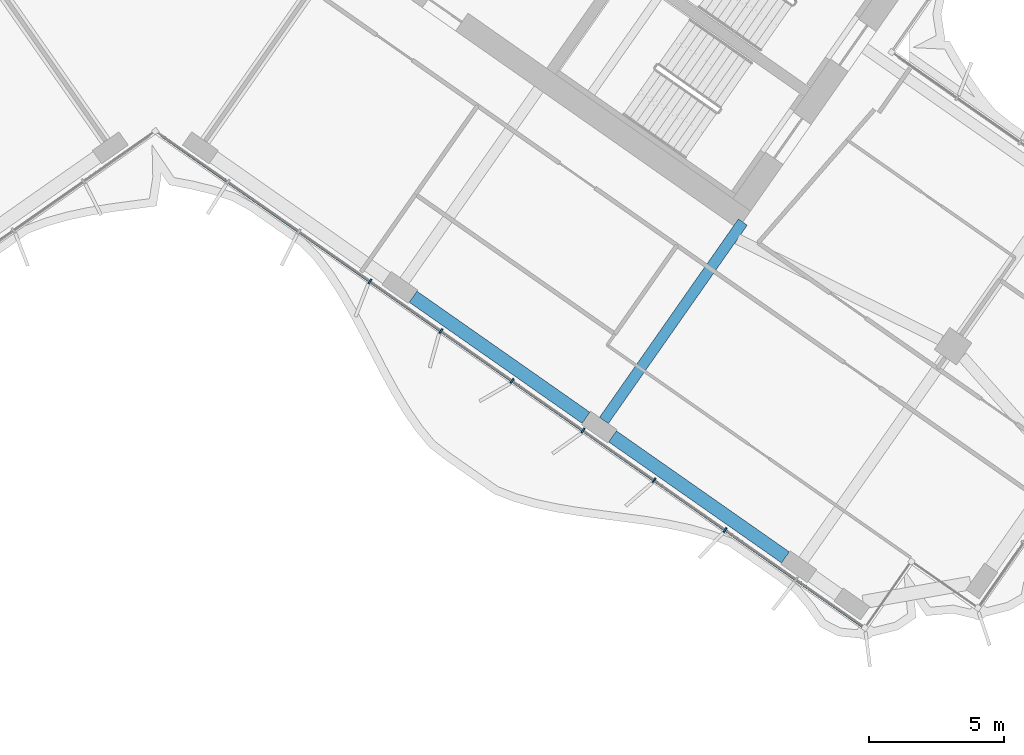
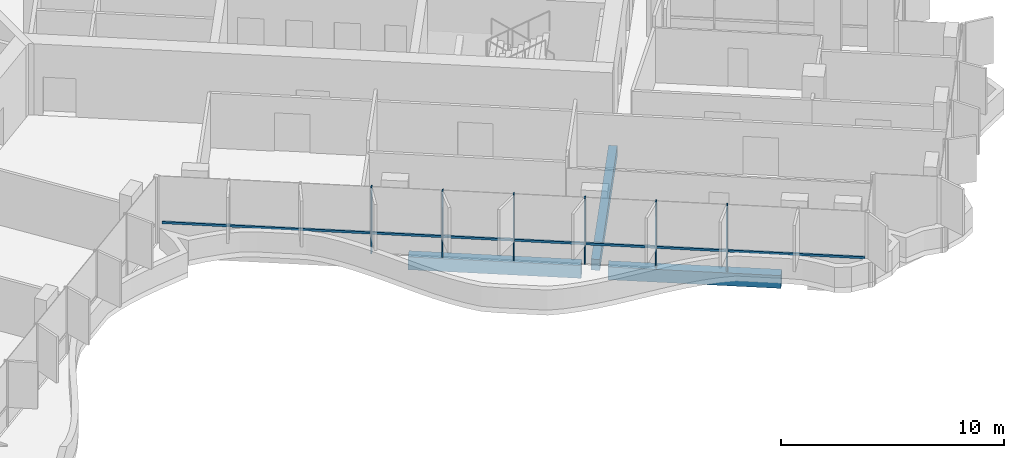
# One storey, part 5 of 21: 7 members, 3 beams, 1 element without a shape of its own.
"""IFC4 building model written with IfcOpenShell, lengths in metres."""

from ifc_helpers import new_model, si_unit, direction, frame, origin, origin_2d, place, context, subcontext, project, spatial, rectangle, extrude, material, material_profile, profile_set, type_object, element, aggregate, save


model = new_model("IFC4")

# Units and contexts
model_context = context("Model", 3, precision=1e-05, world=origin(), true_north=direction((0.0, 1.0)))
body_context = subcontext(model_context, "Body", "Model", "MODEL_VIEW")
ifc_project = project(units=[si_unit("LENGTHUNIT", "METRE"), si_unit("AREAUNIT", "SQUARE_METRE"), si_unit("VOLUMEUNIT", "CUBIC_METRE"), si_unit("PLANEANGLEUNIT", "RADIAN"), si_unit("MASSUNIT", "GRAM", prefix="KILO")], contexts=[model_context])

# Site, building, storey
site_placement = place(None, origin())
site = spatial("IfcSite", under=ifc_project, at=site_placement, CompositionType="ELEMENT")
building_placement = place(site_placement, origin())
building = spatial("IfcBuilding", under=site, at=building_placement, Name="Tel Ilan Convention Tower", CompositionType="ELEMENT")
storey_placement = place(building_placement, frame((0.0, 0.0, 159.300048828125)))
storey = spatial("IfcBuildingStorey", under=building, at=storey_placement, Name="L36", CompositionType="ELEMENT", Elevation=159.300048828125)

# Beams
ifc_material_1 = material(Name="Concrete C40/50", Category="concrete")
ifc_material_profile_1 = material_profile(ifc_material_1, rectangle(XDim=0.39990234375, YDim=0.60009765625, at=origin_2d()), Name="RC 400x600")
ifc_profile_set_1 = profile_set([ifc_material_profile_1], Name="Concrete C40/50")
beam_type_1 = type_object("IfcBeamType", Name="Beam RC 400x600 Concrete C40/50", PredefinedType="BEAM", material=ifc_profile_set_1)
beam_placement = place(storey_placement, frame((16.58203125, -23.391357421875, -0.580078125), z_axis=(0.573584999642, 0.819146048141, 0.0), x_axis=(-0.819146048141, 0.573584999642, 0.0)))
element("IfcBeam", 1, at=beam_placement, inside=storey, type_object=beam_type_1, Name="L36 beam E-E-F3-core", PredefinedType="BEAM", context=body_context, shape_type="SweptSolid", body=[
    extrude(rectangle(XDim=0.39990234375, YDim=0.60009765625, at=origin_2d()), origin(), (0.0, 0.0, 1.0), 8.949951171875),
])
ifc_material_2 = material(Name="Concrete C40/50", Category="concrete")
ifc_material_profile_2 = material_profile(ifc_material_2, rectangle(XDim=0.5, YDim=0.699951171875, at=origin_2d()), Name="RC 500x700")
ifc_profile_set_2 = profile_set([ifc_material_profile_2], Name="Concrete C40/50")
beam_type_2 = type_object("IfcBeamType", Name="Beam RC 500x700 Concrete C40/50", PredefinedType="BEAM", material=ifc_profile_set_2)
for number, where, z_axis, x_axis, name in (
    (2, (9.529052734375, -18.819091796875, -0.630126953125), (0.819153977895, -0.573573674866, 0.0), (0.573573674866, 0.819153977895, 0.0), "L36 beam E-E-F2-E-F3"),
    (3, (16.901611328125, -23.981201171875, -0.630126953125), (0.819153977895, -0.573573674866, 0.0), (0.573573674866, 0.819153977895, 0.0), "L36 beam E-E-F3-E-F4"),
):
    element("IfcBeam", number, at=place(storey_placement, frame(where, z_axis=z_axis, x_axis=x_axis)), inside=storey, type_object=beam_type_2, Name=name, PredefinedType="BEAM", context=body_context, shape_type="SweptSolid", body=[
        extrude(rectangle(XDim=0.5, YDim=0.699951171875, at=origin_2d()), origin(), (0.0, 0.0, 1.0), 7.800048828125),
    ])

# Curtain wall, members
ifc_material_3 = material(Name="Aluminium, bronze anodised", Category="aluminium")
curtain_wall_type = type_object("IfcCurtainWallType", Name="CW4 STICK CURTAIN WALL, OFFICE TINTED GLASS", PredefinedType="NOTDEFINED", material=ifc_material_3)
curtain_wall_placement = place(storey_placement, origin())
curtain_wall = element("IfcCurtainWall", 4, at=curtain_wall_placement, inside=storey, type_object=curtain_wall_type, Name="Curtain wall CW4-28.02", PredefinedType="NOTDEFINED")
ifc_material_4 = material(Name="Aluminium, bronze anodised", Category="aluminium")
ifc_material_profile_3 = material_profile(ifc_material_4, rectangle(XDim=0.06005859375, YDim=0.199951171875, at=origin_2d()), Name="CW MULLION 60x200")
ifc_profile_set_3 = profile_set([ifc_material_profile_3], Name="Aluminium, bronze anodised")
member_type_1 = type_object("IfcMemberType", Name="CW MULLION 60x200", PredefinedType="MULLION", material=ifc_profile_set_3)
member_1_placement = place(storey_placement, frame((7.932861328125, -18.250732421875, 0.0), z_axis=(0.0, 0.0, 1.0), x_axis=(0.819152044289, -0.573576436351, 0.0)))
member_1 = element("IfcMember", 5, at=member_1_placement, type_object=member_type_1, Name="Mullion", PredefinedType="MULLION", context=body_context, shape_type="SweptSolid", body=[
    extrude(rectangle(XDim=0.06005859375, YDim=0.199951171875, at=origin_2d()), origin(), (0.0, 0.0, 1.0), 3.619873046875),
])
member_2_placement = place(storey_placement, frame((10.55810546875, -20.0888671875, 0.0), z_axis=(0.0, 0.0, 1.0), x_axis=(0.819152044289, -0.573576436351, 0.0)))
member_2 = element("IfcMember", 6, at=member_2_placement, type_object=member_type_1, Name="Mullion", PredefinedType="MULLION", context=body_context, shape_type="SweptSolid", body=[
    extrude(rectangle(XDim=0.06005859375, YDim=0.199951171875, at=origin_2d()), origin(), (0.0, 0.0, 1.0), 3.619873046875),
])
member_3_placement = place(storey_placement, frame((13.183349609375, -21.92724609375, 0.0), z_axis=(0.0, 0.0, 1.0), x_axis=(0.819152044289, -0.573576436351, 0.0)))
member_3 = element("IfcMember", 7, at=member_3_placement, type_object=member_type_1, Name="Mullion", PredefinedType="MULLION", context=body_context, shape_type="SweptSolid", body=[
    extrude(rectangle(XDim=0.06005859375, YDim=0.199951171875, at=origin_2d()), origin(), (0.0, 0.0, 1.0), 3.619873046875),
])
member_4_placement = place(storey_placement, frame((15.80859375, -23.765380859375, 0.0), z_axis=(0.0, 0.0, 1.0), x_axis=(0.819152044289, -0.573576436351, 0.0)))
member_4 = element("IfcMember", 8, at=member_4_placement, type_object=member_type_1, Name="Mullion", PredefinedType="MULLION", context=body_context, shape_type="SweptSolid", body=[
    extrude(rectangle(XDim=0.06005859375, YDim=0.199951171875, at=origin_2d()), origin(), (0.0, 0.0, 1.0), 3.619873046875),
])
member_5_placement = place(storey_placement, frame((18.433837890625, -25.603515625, 0.0), z_axis=(0.0, 0.0, 1.0), x_axis=(0.819152044289, -0.573576436351, 0.0)))
member_5 = element("IfcMember", 9, at=member_5_placement, type_object=member_type_1, Name="Mullion", PredefinedType="MULLION", context=body_context, shape_type="SweptSolid", body=[
    extrude(rectangle(XDim=0.06005859375, YDim=0.199951171875, at=origin_2d()), origin(), (0.0, 0.0, 1.0), 3.619873046875),
])
member_6_placement = place(storey_placement, frame((21.05908203125, -27.441650390625, 0.0), z_axis=(0.0, 0.0, 1.0), x_axis=(0.819152044289, -0.573576436351, 0.0)))
member_6 = element("IfcMember", 10, at=member_6_placement, type_object=member_type_1, Name="Mullion", PredefinedType="MULLION", context=body_context, shape_type="SweptSolid", body=[
    extrude(rectangle(XDim=0.06005859375, YDim=0.199951171875, at=origin_2d()), origin(), (0.0, 0.0, 1.0), 3.619873046875),
])
ifc_material_5 = material(Name="Aluminium, bronze anodised", Category="aluminium")
ifc_material_profile_4 = material_profile(ifc_material_5, rectangle(XDim=0.10009765625, YDim=0.1201171875, at=origin_2d()), Name="CW TRANSOM 100x120")
ifc_profile_set_4 = profile_set([ifc_material_profile_4], Name="Aluminium, bronze anodised")
member_type_2 = type_object("IfcMemberType", Name="CW TRANSOM 100x120", PredefinedType="USERDEFINED", material=ifc_profile_set_4)
member_7_placement = place(storey_placement, frame((0.22119140625, -12.850830078125, 1.099853515625), z_axis=(0.819149281128, -0.573580382534, 0.0), x_axis=(0.573580382534, 0.819149281128, 0.0)))
member_7 = element("IfcMember", 11, at=member_7_placement, type_object=member_type_2, Name="Transom", ObjectType="TRANSOM", PredefinedType="USERDEFINED", context=body_context, shape_type="SweptSolid", body=[
    extrude(rectangle(XDim=0.10009765625, YDim=0.1201171875, at=origin_2d()), origin(), (0.0, 0.0, 1.0), 31.64794921875),
])
aggregate(curtain_wall, [member_1, member_2, member_3, member_4, member_5, member_6, member_7])

save(model, "model.ifc")
